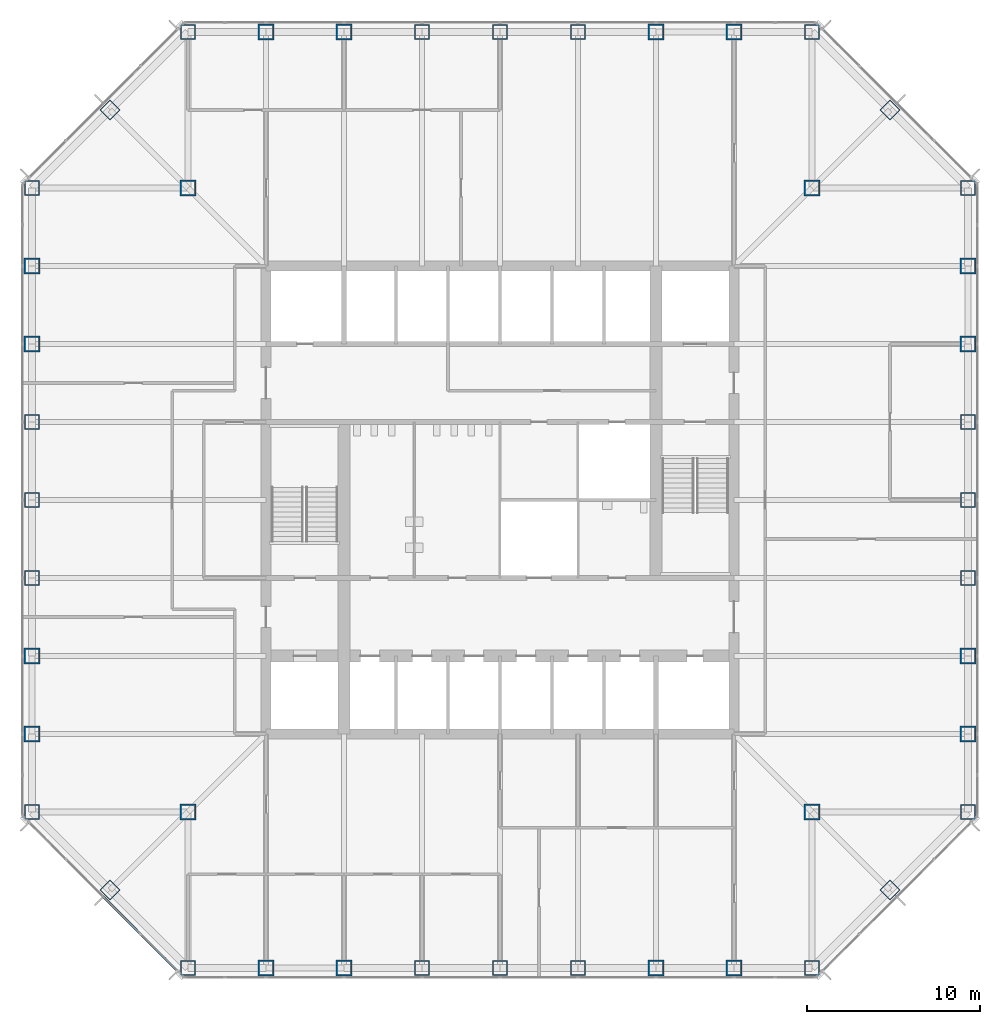
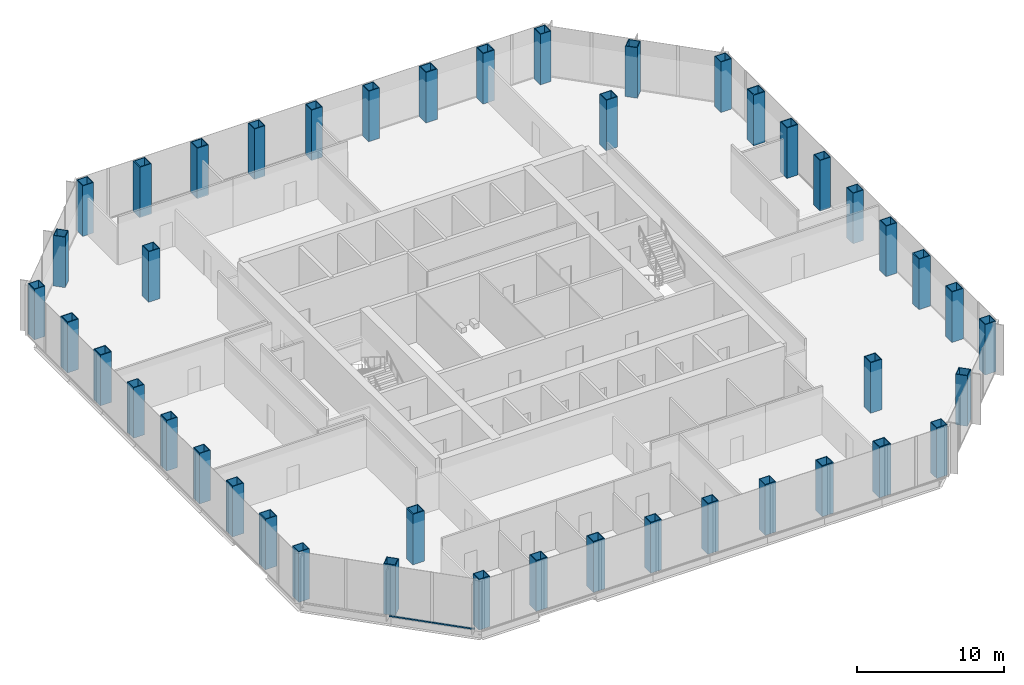
# One storey, part 1 of 12: 44 columns, 2 members, 1 element without a shape of its own.
"""IFC4 building model written with IfcOpenShell, lengths in metres."""

from ifc_helpers import new_model, si_unit, direction, frame, origin, origin_2d, place, context, subcontext, project, spatial, rectangle, hollow_rectangle, extrude, material, material_profile, profile_set, type_object, element, aggregate, save


model = new_model("IFC4")

# Units and contexts
model_context = context("Model", 3, precision=1e-05, world=origin(), true_north=direction((0.0, 1.0)))
body_context = subcontext(model_context, "Body", "Model", "MODEL_VIEW")
ifc_project = project(units=[si_unit("LENGTHUNIT", "METRE"), si_unit("AREAUNIT", "SQUARE_METRE"), si_unit("VOLUMEUNIT", "CUBIC_METRE"), si_unit("PLANEANGLEUNIT", "RADIAN"), si_unit("MASSUNIT", "GRAM", prefix="KILO")], contexts=[model_context])

# Site, building, storey
site_placement = place(None, origin())
site = spatial("IfcSite", under=ifc_project, at=site_placement, CompositionType="ELEMENT")
building_placement = place(site_placement, origin())
building = spatial("IfcBuilding", under=site, at=building_placement, Name="Corais Broadcast Tower", CompositionType="ELEMENT")
storey_placement = place(building_placement, frame((0.0, 0.0, 100.39990234375)))
storey = spatial("IfcBuildingStorey", under=building, at=storey_placement, Name="L22", CompositionType="ELEMENT", Elevation=100.39990234375)

# Columns
ifc_material_1 = material(Name="Steel ASTM A572 Grade 50", Category="steel")
ifc_material_profile_1 = material_profile(ifc_material_1, hollow_rectangle(XDim=0.85009765625, YDim=0.85009765625, WallThickness=0.050048828125, at=origin_2d()), Name="BOX 850x850x50")
ifc_profile_set_1 = profile_set([ifc_material_profile_1], Name="Steel ASTM A572 Grade 50")
column_type_1 = type_object("IfcColumnType", Name="Column BOX 850x850x50", PredefinedType="COLUMN", material=ifc_profile_set_1)
for number, where, z_axis, x_axis, name in (
    (1, (9.0, 0.0, 0.0), (0.0, 0.0, 1.0), (1.0, 0.0, 0.0), "C1 A/5"),
    (2, (22.5, 0.0, 0.0), (0.0, 0.0, 1.0), (1.0, 0.0, 0.0), "C1 A/8"),
    (3, (27.0, 0.0, 0.0), (0.0, 0.0, 1.0), (1.0, 0.0, 0.0), "C1 A/9"),
    (4, (31.5, 0.0, 0.0), (0.0, 0.0, 1.0), (1.0, 0.0, 0.0), "C1 A/10"),
    (5, (45.0, 0.0, 0.0), (0.0, 0.0, 1.0), (1.0, 0.0, 0.0), "C1 A/13"),
    (6, (54.0, 9.0, 0.0), (0.0, 0.0, 1.0), (1.0, 0.0, 0.0), "C1 C/15"),
    (7, (54.0, 22.5, 0.0), (0.0, 0.0, 1.0), (1.0, 0.0, 0.0), "C1 F/15"),
    (8, (54.0, 27.0, 0.0), (0.0, 0.0, 1.0), (1.0, 0.0, 0.0), "C1 G/15"),
    (9, (54.0, 31.5, 0.0), (0.0, 0.0, 1.0), (1.0, 0.0, 0.0), "C1 H/15"),
    (10, (54.0, 45.0, 0.0), (0.0, 0.0, 1.0), (1.0, 0.0, 0.0), "C1 L/15"),
    (11, (45.0, 54.0, 0.0), (0.0, 0.0, 1.0), (1.0, 0.0, 0.0), "C1 N/13"),
    (12, (31.5, 54.0, 0.0), (0.0, 0.0, 1.0), (1.0, 0.0, 0.0), "C1 N/10"),
    (13, (27.0, 54.0, 0.0), (0.0, 0.0, 1.0), (1.0, 0.0, 0.0), "C1 N/9"),
    (14, (22.5, 54.0, 0.0), (0.0, 0.0, 1.0), (1.0, 0.0, 0.0), "C1 N/8"),
    (15, (9.0, 54.0, 0.0), (0.0, 0.0, 1.0), (1.0, 0.0, 0.0), "C1 N/5"),
    (16, (0.0, 45.0, 0.0), (0.0, 0.0, 1.0), (1.0, 0.0, 0.0), "C1 L/3"),
    (17, (0.0, 31.5, 0.0), (0.0, 0.0, 1.0), (1.0, 0.0, 0.0), "C1 H/3"),
    (18, (0.0, 27.0, 0.0), (0.0, 0.0, 1.0), (1.0, 0.0, 0.0), "C1 G/3"),
    (19, (0.0, 22.5, 0.0), (0.0, 0.0, 1.0), (1.0, 0.0, 0.0), "C1 F/3"),
    (20, (0.0, 9.0, 0.0), (0.0, 0.0, 1.0), (1.0, 0.0, 0.0), "C1 C/3"),
    (21, (4.5, 4.5, 0.0), (0.0, 0.0, 1.0), (0.707106781187, 0.707106781187, 0.0), "C1 B/4"),
    (22, (49.5, 4.5, 0.0), (0.0, 0.0, 1.0), (0.707106781187, 0.707106781187, 0.0), "C1 B/14"),
    (23, (49.5, 49.5, 0.0), (0.0, 0.0, 1.0), (0.707106781187, 0.707106781187, 0.0), "C1 M/14"),
    (24, (4.5, 49.5, 0.0), (0.0, 0.0, 1.0), (0.707106781187, 0.707106781187, 0.0), "C1 M/4"),
):
    element("IfcColumn", number, at=place(storey_placement, frame(where, z_axis=z_axis, x_axis=x_axis)), inside=storey, type_object=column_type_1, Name=name, PredefinedType="COLUMN", context=body_context, shape_type="SweptSolid", body=[
        extrude(hollow_rectangle(XDim=0.85009765625, YDim=0.85009765625, WallThickness=0.050048828125, at=origin_2d()), origin(), (0.0, 0.0, 1.0), 4.2001953125),
    ])
ifc_material_2 = material(Name="Steel ASTM A572 Grade 50", Category="steel")
ifc_material_profile_2 = material_profile(ifc_material_2, hollow_rectangle(XDim=0.89990234375, YDim=0.89990234375, WallThickness=0.06298828125, at=origin_2d()), Name="BOX 900x900x63")
ifc_profile_set_2 = profile_set([ifc_material_profile_2], Name="Steel ASTM A572 Grade 50")
column_type_2 = type_object("IfcColumnType", Name="Column BOX 900x900x63", PredefinedType="COLUMN", material=ifc_profile_set_2)
for number, where, z_axis, x_axis, name in (
    (25, (13.5, 0.0, 0.0), (0.0, 0.0, 1.0), (1.0, 0.0, 0.0), "C2 A/6"),
    (26, (18.0, 0.0, 0.0), (0.0, 0.0, 1.0), (1.0, 0.0, 0.0), "C2 A/7"),
    (27, (36.0, 0.0, 0.0), (0.0, 0.0, 1.0), (1.0, 0.0, 0.0), "C2 A/11"),
    (28, (40.5, 0.0, 0.0), (0.0, 0.0, 1.0), (1.0, 0.0, 0.0), "C2 A/12"),
    (29, (54.0, 13.5, 0.0), (0.0, 0.0, 1.0), (1.0, 0.0, 0.0), "C2 D/15"),
    (30, (54.0, 18.0, 0.0), (0.0, 0.0, 1.0), (1.0, 0.0, 0.0), "C2 E/15"),
    (31, (54.0, 36.0, 0.0), (0.0, 0.0, 1.0), (1.0, 0.0, 0.0), "C2 J/15"),
    (32, (54.0, 40.5, 0.0), (0.0, 0.0, 1.0), (1.0, 0.0, 0.0), "C2 K/15"),
    (33, (40.5, 54.0, 0.0), (0.0, 0.0, 1.0), (1.0, 0.0, 0.0), "C2 N/12"),
    (34, (36.0, 54.0, 0.0), (0.0, 0.0, 1.0), (1.0, 0.0, 0.0), "C2 N/11"),
    (35, (18.0, 54.0, 0.0), (0.0, 0.0, 1.0), (1.0, 0.0, 0.0), "C2 N/7"),
    (36, (13.5, 54.0, 0.0), (0.0, 0.0, 1.0), (1.0, 0.0, 0.0), "C2 N/6"),
    (37, (0.0, 40.5, 0.0), (0.0, 0.0, 1.0), (1.0, 0.0, 0.0), "C2 K/3"),
    (38, (0.0, 36.0, 0.0), (0.0, 0.0, 1.0), (1.0, 0.0, 0.0), "C2 J/3"),
    (39, (0.0, 18.0, 0.0), (0.0, 0.0, 1.0), (1.0, 0.0, 0.0), "C2 E/3"),
    (40, (0.0, 13.5, 0.0), (0.0, 0.0, 1.0), (1.0, 0.0, 0.0), "C2 D/3"),
    (41, (9.0, 9.0, 0.0), (0.0, 0.0, 1.0), (1.0, 0.0, 0.0), "C2 C/5"),
    (42, (45.0, 9.0, 0.0), (0.0, 0.0, 1.0), (1.0, 0.0, 0.0), "C2 C/13"),
    (43, (45.0, 45.0, 0.0), (0.0, 0.0, 1.0), (1.0, 0.0, 0.0), "C2 L/13"),
    (44, (9.0, 45.0, 0.0), (0.0, 0.0, 1.0), (1.0, 0.0, 0.0), "C2 L/5"),
):
    element("IfcColumn", number, at=place(storey_placement, frame(where, z_axis=z_axis, x_axis=x_axis)), inside=storey, type_object=column_type_2, Name=name, PredefinedType="COLUMN", context=body_context, shape_type="SweptSolid", body=[
        extrude(hollow_rectangle(XDim=0.89990234375, YDim=0.89990234375, WallThickness=0.06298828125, at=origin_2d()), origin(), (0.0, 0.0, 1.0), 4.2001953125),
    ])

# Curtain wall, members
ifc_material_3 = material(Name="Aluminium and glass", Category="aluminium")
curtain_wall_type = type_object("IfcCurtainWallType", Name="Unitised fritted curtain wall CW1", PredefinedType="NOTDEFINED", material=ifc_material_3)
curtain_wall_placement = place(storey_placement, origin())
curtain_wall = element("IfcCurtainWall", 45, at=curtain_wall_placement, inside=storey, type_object=curtain_wall_type, Name="CW1 curtain wall L22 1", PredefinedType="NOTDEFINED")
ifc_material_4 = material(Name="Aluminium 6063-T6", Category="aluminium")
ifc_material_profile_3 = material_profile(ifc_material_4, rectangle(XDim=0.139892578125, YDim=0.06494140625, at=origin_2d()), Name="Transom CW1 65x140")
ifc_profile_set_3 = profile_set([ifc_material_profile_3], Name="Aluminium 6063-T6")
member_type = type_object("IfcMemberType", Name="Transom CW1 65x140", PredefinedType="USERDEFINED", material=ifc_profile_set_3)
member_1_placement = place(storey_placement, frame((8.37255859375, -0.150390625, 0.03271484375), z_axis=(-0.707106781187, 0.707106781187, 0.0), x_axis=(-0.707106781187, -0.707106781187, 0.0)))
member_1 = element("IfcMember", 46, at=member_1_placement, type_object=member_type, Name="CW1 transom 1.1", ObjectType="TRANSOM", PredefinedType="USERDEFINED", context=body_context, shape_type="SweptSolid", body=[
    extrude(rectangle(XDim=0.139892578125, YDim=0.06494140625, at=origin_2d()), origin(), (0.0, 0.0, 1.0), 2.9482421875),
])
member_2_placement = place(storey_placement, frame((6.241943359375, 1.980224609375, 0.03271484375), z_axis=(-0.707106781187, 0.707106781187, 0.0), x_axis=(-0.707106781187, -0.707106781187, 0.0)))
member_2 = element("IfcMember", 47, at=member_2_placement, type_object=member_type, Name="CW1 transom 2.1", ObjectType="TRANSOM", PredefinedType="USERDEFINED", context=body_context, shape_type="SweptSolid", body=[
    extrude(rectangle(XDim=0.139892578125, YDim=0.06494140625, at=origin_2d()), origin(), (0.0, 0.0, 1.0), 2.98095703125),
])
aggregate(curtain_wall, [member_1, member_2])

save(model, "model.ifc")
